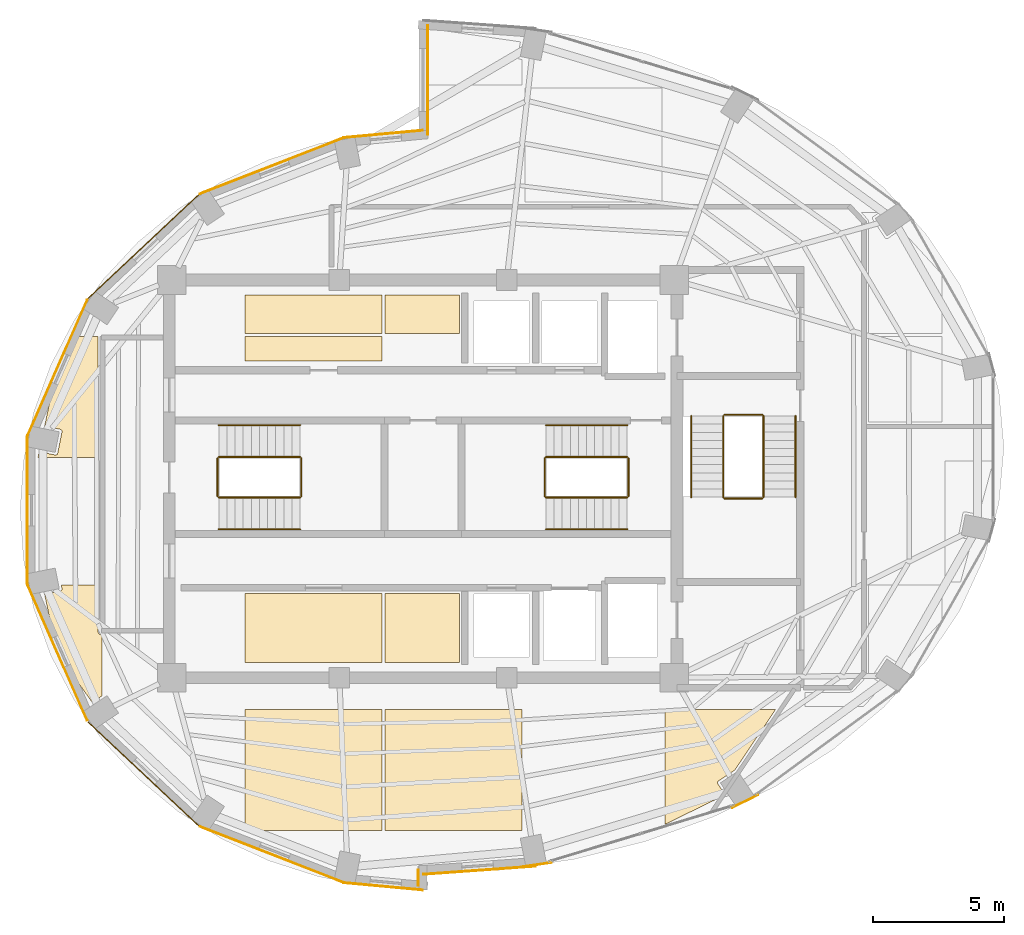
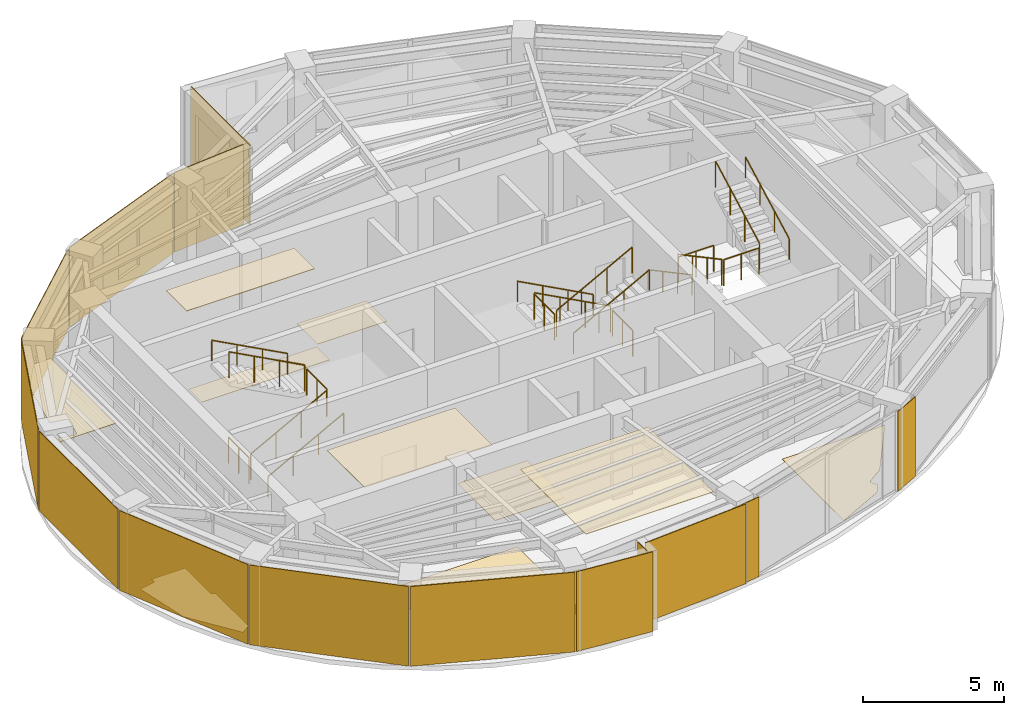
# One storey, part 11 of 12: 24 coverings, 18 railings.
"""IFC4 building model written with IfcOpenShell, lengths in metres."""

from ifc_helpers import new_model, si_unit, direction, frame, origin, origin_2d, place, context, subcontext, project, spatial, polyline, rectangle, circle, outline, extrude, material, layer, layer_set, type_object, element, save


model = new_model("IFC4")

# Units and contexts
model_context = context("Model", 3, precision=1e-05, world=origin(), true_north=direction((0.0, 1.0)))
body_context = subcontext(model_context, "Body", "Model", "MODEL_VIEW")
ifc_project = project(units=[si_unit("LENGTHUNIT", "METRE"), si_unit("AREAUNIT", "SQUARE_METRE"), si_unit("VOLUMEUNIT", "CUBIC_METRE"), si_unit("PLANEANGLEUNIT", "RADIAN"), si_unit("MASSUNIT", "GRAM", prefix="KILO")], contexts=[model_context])

# Site, building, storey
site_placement = place(None, origin())
site = spatial("IfcSite", under=ifc_project, at=site_placement, CompositionType="ELEMENT")
building_placement = place(site_placement, origin())
building = spatial("IfcBuilding", under=site, at=building_placement, Name="Lazwardi Medical Tower", CompositionType="ELEMENT")
storey_placement = place(building_placement, frame((0.0, 0.0, 287.85595703125)))
storey = spatial("IfcBuildingStorey", under=building, at=storey_placement, Name="L75", CompositionType="ELEMENT", Elevation=287.85595703125)

# Coverings
ifc_material_1 = material(Name="Anodised bronze aluminium cassette cladding", Category="aluminium")
ifc_layer_1 = layer(ifc_material_1, 0.030029296875)
ifc_layer_set_1 = layer_set([ifc_layer_1], Name="Anodised bronze aluminium cassette cladding")
covering_type_1 = type_object("IfcCoveringType", Name="COV-CLD-BRZ", PredefinedType="CLADDING", material=ifc_layer_set_1)
covering_1_placement = place(storey_placement, frame((40.3232421875, 13.25048828125, 0.0), z_axis=(0.0, 0.0, 1.0), x_axis=(0.989512431533, 0.144447733943, 0.0)))
element("IfcCovering", 1, at=covering_1_placement, inside=storey, type_object=covering_type_1, Name="L75 Mega-column bronze cassette cover M01", PredefinedType="CLADDING", context=body_context, shape_type="SweptSolid", body=[
    extrude(rectangle(XDim=1.188720703125, YDim=0.030029296875, at=origin_2d()), origin(), (0.0, 0.0, 1.0), 3.447998046875),
])
covering_2_placement = place(storey_placement, frame((48.311279296875, 15.6787109375, 0.0), z_axis=(0.0, 0.0, 1.0), x_axis=(0.897840141691, 0.440321564278, 0.0)))
element("IfcCovering", 2, at=covering_2_placement, inside=storey, type_object=covering_type_1, Name="L75 Mega-column bronze cassette cover M02", PredefinedType="CLADDING", context=body_context, shape_type="SweptSolid", body=[
    extrude(rectangle(XDim=1.110595703125, YDim=0.030029296875, at=origin_2d()), origin(), (0.0, 0.0, 1.0), 3.447998046875),
])
covering_3_placement = place(storey_placement, frame((25.31201171875, 36.870361328125, 0.0), z_axis=(0.0, 0.0, 1.0), x_axis=(-0.728254960063, -0.685306291481, 0.0)))
element("IfcCovering", 3, at=covering_3_placement, inside=storey, type_object=covering_type_1, Name="L75 West drum ceramic/bronze cladding", PredefinedType="CLADDING", context=body_context, shape_type="SweptSolid", body=[
    extrude(rectangle(XDim=5.78125, YDim=0.030029296875, at=origin_2d()), origin(), (0.0, 0.0, 1.0), 3.447998046875),
])
covering_4_placement = place(storey_placement, frame((22.032470703125, 32.25146484375, 0.0), z_axis=(0.0, 0.0, 1.0), x_axis=(-0.402877682365, -0.915253829848, 0.0)))
element("IfcCovering", 4, at=covering_4_placement, inside=storey, type_object=covering_type_1, Name="L75 West drum ceramic/bronze cladding", PredefinedType="CLADDING", context=body_context, shape_type="SweptSolid", body=[
    extrude(rectangle(XDim=5.65576171875, YDim=0.030029296875, at=origin_2d()), origin(), (0.0, 0.0, 1.0), 3.447998046875),
])
covering_5_placement = place(storey_placement, frame((20.880126953125, 26.800048828125, 0.0), z_axis=(0.0, 0.0, 1.0), x_axis=(0.0, -1.0, 0.0)))
element("IfcCovering", 5, at=covering_5_placement, inside=storey, type_object=covering_type_1, Name="L75 West drum ceramic/bronze cladding", PredefinedType="CLADDING", context=body_context, shape_type="SweptSolid", body=[
    extrude(rectangle(XDim=5.60302734375, YDim=0.030029296875, at=origin_2d()), origin(), (0.0, 0.0, 1.0), 3.447998046875),
])
covering_6_placement = place(storey_placement, frame((22.032470703125, 21.3486328125, 0.0), z_axis=(0.0, 0.0, 1.0), x_axis=(0.402877682365, -0.915253829848, 0.0)))
element("IfcCovering", 6, at=covering_6_placement, inside=storey, type_object=covering_type_1, Name="L75 West drum ceramic/bronze cladding", PredefinedType="CLADDING", context=body_context, shape_type="SweptSolid", body=[
    extrude(rectangle(XDim=5.65576171875, YDim=0.030029296875, at=origin_2d()), origin(), (0.0, 0.0, 1.0), 3.447998046875),
])
covering_7_placement = place(storey_placement, frame((25.31201171875, 16.7294921875, 0.0), z_axis=(0.0, 0.0, 1.0), x_axis=(0.728254960063, -0.685306291481, 0.0)))
element("IfcCovering", 7, at=covering_7_placement, inside=storey, type_object=covering_type_1, Name="L75 West drum ceramic/bronze cladding", PredefinedType="CLADDING", context=body_context, shape_type="SweptSolid", body=[
    extrude(rectangle(XDim=5.78125, YDim=0.030029296875, at=origin_2d()), origin(), (0.0, 0.0, 1.0), 3.447998046875),
])
ifc_material_2 = material(Name="Turquoise glazed ceramic tilework cladding", Category="masonry")
ifc_layer_2 = layer(ifc_material_2, 0.034912109375)
ifc_layer_set_2 = layer_set([ifc_layer_2], Name="Turquoise glazed ceramic tilework cladding")
covering_type_2 = type_object("IfcCoveringType", Name="COV-CLD-TRQ", PredefinedType="CLADDING", material=ifc_layer_set_2)
for number, where, z_axis, x_axis, name in (
    (8, (30.216064453125, 39.956787109375, 0.0), (0.0, 0.0, 1.0), (-0.931720388261, -0.363176428337, 0.0), "L75 West drum ceramic/bronze cladding"),
    (9, (30.216064453125, 13.64306640625, 0.0), (0.0, 0.0, 1.0), (0.931720388261, -0.363176428337, 0.0), "L75 West drum ceramic/bronze cladding"),
):
    element("IfcCovering", number, at=place(storey_placement, frame(where, z_axis=z_axis, x_axis=x_axis)), inside=storey, type_object=covering_type_2, Name=name, PredefinedType="CLADDING", context=body_context, shape_type="SweptSolid", body=[
        extrude(rectangle(XDim=5.904052734375, YDim=0.034912109375, at=origin_2d()), origin(), (0.0, 0.0, 1.0), 3.447998046875),
    ])
covering_8_placement = place(storey_placement, frame((38.16259765625, 13.0400390625, 0.0), z_axis=(0.0, 0.0, 1.0), x_axis=(0.997409491337, 0.071932653157, 0.0)))
element("IfcCovering", 10, at=covering_8_placement, inside=storey, type_object=covering_type_2, Name="L75 Turquoise glazed ceramic tilework cladding", PredefinedType="CLADDING", context=body_context, shape_type="SweptSolid", body=[
    extrude(rectangle(XDim=4.31103515625, YDim=0.034912109375, at=origin_2d()), origin(), (0.0, 0.0, 1.0), 3.447998046875),
])
for number, where, z_axis, x_axis, name in (
    (11, (34.4970703125, 41.177001953125, 0.0), (0.0, 0.0, 1.0), (-0.995733560537, -0.092275004312, 0.0), "L75 Turquoise glazed ceramic tilework cladding"),
    (12, (34.4970703125, 12.423095703125, 0.0), (0.0, 0.0, 1.0), (0.995733560537, -0.092275004312, 0.0), "L75 Turquoise glazed ceramic tilework cladding"),
):
    element("IfcCovering", number, at=place(storey_placement, frame(where, z_axis=z_axis, x_axis=x_axis)), inside=storey, type_object=covering_type_2, Name=name, PredefinedType="CLADDING", context=body_context, shape_type="SweptSolid", body=[
        extrude(rectangle(XDim=2.985595703125, YDim=0.034912109375, at=origin_2d()), origin(), (0.0, 0.0, 1.0), 3.447998046875),
    ])
covering_9_placement = place(storey_placement, frame((36.175537109375, 43.239990234375, 0.0), z_axis=(0.0, 0.0, 1.0), x_axis=(0.0, -1.0, 0.0)))
element("IfcCovering", 13, at=covering_9_placement, inside=storey, type_object=covering_type_2, Name="L75 Turquoise glazed ceramic tilework iwan panel", PredefinedType="CLADDING", context=body_context, shape_type="SweptSolid", body=[
    extrude(rectangle(XDim=4.199951171875, YDim=0.034912109375, at=origin_2d()), origin(), (0.0, 0.0, 1.0), 3.447998046875),
])
covering_10_placement = place(storey_placement, frame((35.824462890625, 12.760009765625, 0.0), z_axis=(0.0, 0.0, 1.0), x_axis=(0.0, 1.0, 0.0)))
element("IfcCovering", 14, at=covering_10_placement, inside=storey, type_object=covering_type_2, Name="L75 Turquoise glazed ceramic tilework iwan panel", PredefinedType="CLADDING", context=body_context, shape_type="SweptSolid", body=[
    extrude(rectangle(XDim=0.60009765625, YDim=0.034912109375, at=origin_2d()), origin(), (0.0, 0.0, 1.0), 3.447998046875),
])
ifc_material_3 = material(Name="Acoustic mineral fibre tile")
ifc_layer_3 = layer(ifc_material_3, 0.02490234375)
ifc_layer_set_3 = layer_set([ifc_layer_3], Name="Acoustic mineral fibre tile")
covering_type_3 = type_object("IfcCoveringType", Name="COV-CLG-01", PredefinedType="CEILING", material=ifc_layer_set_3)
covering_11_placement = place(storey_placement, frame((0.0, 0.0, 3.302978515625)))
element("IfcCovering", 15, at=covering_11_placement, inside=storey, type_object=covering_type_3, Name="L75 Clinical Acoustic Ceiling 1", PredefinedType="CEILING", context=body_context, shape_type="SweptSolid", body=[
    extrude(outline(polyline([(22.85791015625, 33.436279296875), (22.013427734375, 32.247314453125), (21.54052734375, 30.010498046875), (22.14111328125, 29.89111328125), (22.148681640625, 29.88916015625), (22.156005859375, 29.886474609375), (22.1630859375, 29.883056640625), (22.169921875, 29.87890625), (22.17626953125, 29.874267578125), (22.181884765625, 29.869140625), (22.187255859375, 29.86328125), (22.19189453125, 29.85693359375), (22.196044921875, 29.85009765625), (22.19921875, 29.843017578125), (22.201904296875, 29.835693359375), (22.203857421875, 29.828125), (22.205078125, 29.8203125), (22.205322265625, 29.8125), (22.205078125, 29.8046875), (22.203857421875, 29.796875), (22.0400390625, 28.97314453125), (22.0380859375, 28.965576171875), (22.035400390625, 28.9580078125), (22.031982421875, 28.950927734375), (22.028076171875, 28.9443359375), (22.023193359375, 28.93798828125), (22.01806640625, 28.93212890625), (22.01220703125, 28.927001953125), (22.005859375, 28.922119140625), (21.999267578125, 28.918212890625), (21.9921875, 28.914794921875), (21.984619140625, 28.912109375), (21.97705078125, 28.91015625), (21.96923828125, 28.9091796875), (21.96142578125, 28.90869140625), (21.95361328125, 28.9091796875), (21.94580078125, 28.91015625), (21.33349609375, 29.031982421875), (21.285888671875, 28.806396484375), (23.574951171875, 28.806396484375), (23.574951171875, 33.39990234375), (23.5751953125, 33.404296875), (23.57568359375, 33.41357421875), (23.576416015625, 33.42041015625), (23.57763671875, 33.4296875), (23.578857421875, 33.436279296875), (22.85791015625, 33.436279296875)])), origin(), (0.0, 0.0, 1.0), 0.025146484375),
])
covering_12_placement = place(storey_placement, frame((0.0, 0.0, 3.302978515625)))
element("IfcCovering", 16, at=covering_12_placement, inside=storey, type_object=covering_type_3, Name="L75 Clinical Acoustic Ceiling 2", PredefinedType="CEILING", context=body_context, shape_type="SweptSolid", body=[
    extrude(outline(polyline([(34.431884765625, 23.6201171875), (29.201904296875, 23.6201171875), (29.201904296875, 20.97998046875), (34.431884765625, 20.97998046875), (34.431884765625, 23.6201171875)])), origin(), (0.0, 0.0, 1.0), 0.025146484375),
])
covering_13_placement = place(storey_placement, frame((0.0, 0.0, 3.302978515625)))
element("IfcCovering", 17, at=covering_13_placement, inside=storey, type_object=covering_type_3, Name="L75 Clinical Acoustic Ceiling 3", PredefinedType="CEILING", context=body_context, shape_type="SweptSolid", body=[
    extrude(outline(polyline([(34.431884765625, 35.02001953125), (29.201904296875, 35.02001953125), (29.201904296875, 33.556396484375), (34.431884765625, 33.556396484375), (34.431884765625, 35.02001953125)])), origin(), (0.0, 0.0, 1.0), 0.025146484375),
])
covering_14_placement = place(storey_placement, frame((0.0, 0.0, 3.302978515625)))
element("IfcCovering", 18, at=covering_14_placement, inside=storey, type_object=covering_type_3, Name="L75 Clinical Acoustic Ceiling 4", PredefinedType="CEILING", context=body_context, shape_type="SweptSolid", body=[
    extrude(outline(polyline([(39.78173828125, 14.556396484375), (39.78173828125, 19.186279296875), (34.5517578125, 19.186279296875), (34.5517578125, 14.556396484375), (39.78173828125, 14.556396484375)])), origin(), (0.0, 0.0, 1.0), 0.025146484375),
])
ifc_material_4 = material(Name="Anti-static hospital vinyl sheet flooring")
ifc_layer_4 = layer(ifc_material_4, 0.014892578125)
ifc_layer_set_4 = layer_set([ifc_layer_4], Name="Anti-static hospital vinyl sheet flooring")
covering_type_4 = type_object("IfcCoveringType", Name="COV-FLR-01", PredefinedType="FLOORING", material=ifc_layer_set_4)
covering_15_placement = place(storey_placement, origin())
element("IfcCovering", 19, at=covering_15_placement, inside=storey, type_object=covering_type_4, Name="L75 Clinical Vinyl Flooring 1", PredefinedType="FLOORING", context=body_context, shape_type="SweptSolid", body=[
    extrude(outline(polyline([(23.731689453125, 22.026123046875), (23.7294921875, 22.0263671875), (23.72021484375, 22.027587890625), (23.7119140625, 22.029296875), (23.702880859375, 22.031494140625), (23.69580078125, 22.03369140625), (23.68701171875, 22.03662109375), (23.67919921875, 22.0400390625), (23.6708984375, 22.0439453125), (23.6640625, 22.047607421875), (23.656005859375, 22.052490234375), (23.6494140625, 22.056884765625), (23.641845703125, 22.0625), (23.63623046875, 22.067138671875), (23.62939453125, 22.0732421875), (23.623291015625, 22.079345703125), (23.6171875, 22.086181640625), (23.612548828125, 22.091796875), (23.60693359375, 22.099365234375), (23.602294921875, 22.10595703125), (23.59765625, 22.114013671875), (23.593994140625, 22.120849609375), (23.590087890625, 22.129150390625), (23.586669921875, 22.136962890625), (23.58349609375, 22.145751953125), (23.58154296875, 22.15283203125), (23.5791015625, 22.161865234375), (23.57763671875, 22.17041015625), (23.576416015625, 22.179443359375), (23.57568359375, 22.186279296875), (23.5751953125, 22.19580078125), (23.574951171875, 22.199951171875), (23.574951171875, 23.936279296875), (22.177490234375, 23.936279296875), (22.203857421875, 23.802978515625), (22.205078125, 23.79541015625), (22.205322265625, 23.78759765625), (22.205078125, 23.77978515625), (22.203857421875, 23.77197265625), (22.201904296875, 23.764404296875), (22.19921875, 23.7568359375), (22.196044921875, 23.749755859375), (22.19189453125, 23.7431640625), (22.187255859375, 23.73681640625), (22.181884765625, 23.73095703125), (22.17626953125, 23.7255859375), (22.169921875, 23.720947265625), (22.1630859375, 23.716796875), (22.156005859375, 23.713623046875), (22.148681640625, 23.7109375), (22.14111328125, 23.708984375), (21.54052734375, 23.589599609375), (22.013427734375, 21.352783203125), (23.360595703125, 19.455810546875), (23.731689453125, 19.7041015625), (23.731689453125, 22.026123046875)])), origin(), (0.0, 0.0, 1.0), 0.01513671875),
])
covering_16_placement = place(storey_placement, origin())
element("IfcCovering", 20, at=covering_16_placement, inside=storey, type_object=covering_type_4, Name="L75 Clinical Vinyl Flooring 2", PredefinedType="FLOORING", context=body_context, shape_type="SweptSolid", body=[
    extrude(outline(polyline([(34.431884765625, 14.556396484375), (34.431884765625, 19.186279296875), (29.201904296875, 19.186279296875), (29.201904296875, 14.556396484375), (34.431884765625, 14.556396484375)])), origin(), (0.0, 0.0, 1.0), 0.01513671875),
])
covering_17_placement = place(storey_placement, origin())
element("IfcCovering", 21, at=covering_17_placement, inside=storey, type_object=covering_type_4, Name="L75 Clinical Vinyl Flooring 3", PredefinedType="FLOORING", context=body_context, shape_type="SweptSolid", body=[
    extrude(outline(polyline([(29.201904296875, 32.5), (34.431884765625, 32.5), (34.431884765625, 33.436279296875), (29.201904296875, 33.436279296875), (29.201904296875, 32.5)])), origin(), (0.0, 0.0, 1.0), 0.01513671875),
])
covering_18_placement = place(storey_placement, origin())
element("IfcCovering", 22, at=covering_18_placement, inside=storey, type_object=covering_type_4, Name="L75 Clinical Vinyl Flooring 4", PredefinedType="FLOORING", context=body_context, shape_type="SweptSolid", body=[
    extrude(outline(polyline([(34.5517578125, 20.97998046875), (37.389892578125, 20.97998046875), (37.389892578125, 23.6201171875), (34.5517578125, 23.6201171875), (34.5517578125, 20.97998046875)])), origin(), (0.0, 0.0, 1.0), 0.01513671875),
])
covering_19_placement = place(storey_placement, origin())
element("IfcCovering", 23, at=covering_19_placement, inside=storey, type_object=covering_type_4, Name="L75 Clinical Vinyl Flooring 5", PredefinedType="FLOORING", context=body_context, shape_type="SweptSolid", body=[
    extrude(outline(polyline([(37.389892578125, 33.556396484375), (37.389892578125, 35.02001953125), (34.5517578125, 35.02001953125), (34.5517578125, 33.556396484375), (37.389892578125, 33.556396484375)])), origin(), (0.0, 0.0, 1.0), 0.01513671875),
])
covering_20_placement = place(storey_placement, origin())
element("IfcCovering", 24, at=covering_20_placement, inside=storey, type_object=covering_type_4, Name="L75 Clinical Vinyl Flooring 7", PredefinedType="FLOORING", context=body_context, shape_type="SweptSolid", body=[
    extrude(outline(polyline([(45.251708984375, 14.7998046875), (47.14599609375, 15.726318359375), (47.413330078125, 16.12451171875), (47.267822265625, 16.342041015625), (47.263916015625, 16.348876953125), (47.260498046875, 16.35595703125), (47.2578125, 16.36328125), (47.255859375, 16.370849609375), (47.2548828125, 16.378662109375), (47.25439453125, 16.386474609375), (47.2548828125, 16.394287109375), (47.255859375, 16.402099609375), (47.2578125, 16.40966796875), (47.260498046875, 16.4169921875), (47.263916015625, 16.42431640625), (47.267822265625, 16.430908203125), (47.272705078125, 16.437255859375), (47.27783203125, 16.443115234375), (47.28369140625, 16.4482421875), (47.2900390625, 16.452880859375), (47.913818359375, 16.869873046875), (49.46923828125, 19.186279296875), (45.251708984375, 19.186279296875), (45.251708984375, 14.7998046875)])), origin(), (0.0, 0.0, 1.0), 0.01513671875),
])

# Railings
ifc_material_5 = material(Name="Stainless steel Grade 316", Category="steel")
railing_type_1 = type_object("IfcRailingType", Name="RLG-GRD-1150", PredefinedType="GUARDRAIL", material=ifc_material_5)
railing_1_placement = place(storey_placement, frame((28.199951171875, 27.2900390625, 0.165771484375)))
element("IfcRailing", 25, at=railing_1_placement, inside=storey, type_object=railing_type_1, Name="L75 ST1 stair guard 1", PredefinedType="GUARDRAIL", context=body_context, shape_type="SweptSolid", body=[
    extrude(circle(Radius=0.02392578125, at=origin_2d()), frame((0.0, 0.0, 1.1259765625), z_axis=(0.881783298633, 0.0, 0.471654761719), x_axis=(0.0, 1.0, 0.0)), (0.0, 0.0, 1.0), 3.515625),
    extrude(circle(Radius=0.02099609375, at=origin_2d()), origin(), (0.0, 0.0, 1.0), 1.099853515625),
    extrude(circle(Radius=0.02099609375, at=origin_2d()), frame((1.033447265625, 0.0, 0.552734375)), (0.0, 0.0, 1.0), 1.099853515625),
    extrude(circle(Radius=0.02099609375, at=origin_2d()), frame((2.066650390625, 0.0, 1.10546875)), (0.0, 0.0, 1.0), 1.099853515625),
    extrude(circle(Radius=0.02099609375, at=origin_2d()), frame((3.10009765625, 0.0, 1.658203125)), (0.0, 0.0, 1.0), 1.099853515625),
])
railing_2_placement = place(storey_placement, frame((31.35009765625, 27.340087890625, 1.823974609375)))
element("IfcRailing", 26, at=railing_2_placement, inside=storey, type_object=railing_type_1, Name="L75 ST1 stair guard 2", PredefinedType="GUARDRAIL", context=body_context, shape_type="SweptSolid", body=[
    extrude(circle(Radius=0.02392578125, at=origin_2d()), frame((0.0, 0.0, 1.1259765625), z_axis=(0.0, 1.0, 0.0), x_axis=(-1.0, 0.0, 0.0)), (0.0, 0.0, 1.0), 1.43994140625),
    extrude(circle(Radius=0.02099609375, at=origin_2d()), origin(), (0.0, 0.0, 1.0), 1.099853515625),
    extrude(circle(Radius=0.02099609375, at=origin_2d()), frame((0.0, 0.719970703125, 0.0)), (0.0, 0.0, 1.0), 1.099853515625),
    extrude(circle(Radius=0.02099609375, at=origin_2d()), frame((0.0, 1.43994140625, 0.0)), (0.0, 0.0, 1.0), 1.099853515625),
])
railing_3_placement = place(storey_placement, frame((31.300048828125, 28.830078125, 1.98974609375)))
element("IfcRailing", 27, at=railing_3_placement, inside=storey, type_object=railing_type_1, Name="L75 ST1 stair guard 3", PredefinedType="GUARDRAIL", context=body_context, shape_type="SweptSolid", body=[
    extrude(circle(Radius=0.02392578125, at=origin_2d()), frame((0.0, 0.0, 1.1259765625), z_axis=(-0.881783298633, 0.0, 0.471654761719), x_axis=(0.0, -1.0, 0.0)), (0.0, 0.0, 1.0), 3.515625),
    extrude(circle(Radius=0.02099609375, at=origin_2d()), origin(), (0.0, 0.0, 1.0), 1.099853515625),
    extrude(circle(Radius=0.02099609375, at=origin_2d()), frame((-1.033447265625, 0.0, 0.552734375)), (0.0, 0.0, 1.0), 1.099853515625),
    extrude(circle(Radius=0.02099609375, at=origin_2d()), frame((-2.066650390625, 0.0, 1.10546875)), (0.0, 0.0, 1.0), 1.099853515625),
    extrude(circle(Radius=0.02099609375, at=origin_2d()), frame((-3.10009765625, 0.0, 1.658203125)), (0.0, 0.0, 1.0), 1.099853515625),
])
railing_4_placement = place(storey_placement, frame((28.14990234375, 27.340087890625, 0.0)))
element("IfcRailing", 28, at=railing_4_placement, inside=storey, type_object=railing_type_1, Name="L75 ST1 stair guard 4", PredefinedType="GUARDRAIL", context=body_context, shape_type="SweptSolid", body=[
    extrude(circle(Radius=0.02392578125, at=origin_2d()), frame((0.0, 0.0, 1.1259765625), z_axis=(0.0, 1.0, 0.0), x_axis=(-1.0, 0.0, 0.0)), (0.0, 0.0, 1.0), 1.43994140625),
    extrude(circle(Radius=0.02099609375, at=origin_2d()), origin(), (0.0, 0.0, 1.0), 1.099853515625),
    extrude(circle(Radius=0.02099609375, at=origin_2d()), frame((0.0, 0.719970703125, 0.0)), (0.0, 0.0, 1.0), 1.099853515625),
    extrude(circle(Radius=0.02099609375, at=origin_2d()), frame((0.0, 1.43994140625, 0.0)), (0.0, 0.0, 1.0), 1.099853515625),
])
railing_5_placement = place(storey_placement, frame((43.800048828125, 28.830078125, 0.165771484375)))
element("IfcRailing", 29, at=railing_5_placement, inside=storey, type_object=railing_type_1, Name="L75 ST2 stair guard 1", PredefinedType="GUARDRAIL", context=body_context, shape_type="SweptSolid", body=[
    extrude(circle(Radius=0.02392578125, at=origin_2d()), frame((0.0, 0.0, 1.1259765625), z_axis=(-0.881783298633, 0.0, 0.471654761719), x_axis=(0.0, -1.0, 0.0)), (0.0, 0.0, 1.0), 3.515625),
    extrude(circle(Radius=0.02099609375, at=origin_2d()), origin(), (0.0, 0.0, 1.0), 1.099853515625),
    extrude(circle(Radius=0.02099609375, at=origin_2d()), frame((-1.033447265625, 0.0, 0.552734375)), (0.0, 0.0, 1.0), 1.099853515625),
    extrude(circle(Radius=0.02099609375, at=origin_2d()), frame((-2.066650390625, 0.0, 1.10546875)), (0.0, 0.0, 1.0), 1.099853515625),
    extrude(circle(Radius=0.02099609375, at=origin_2d()), frame((-3.10009765625, 0.0, 1.658203125)), (0.0, 0.0, 1.0), 1.099853515625),
])
railing_6_placement = place(storey_placement, frame((40.64990234375, 28.780029296875, 1.823974609375)))
element("IfcRailing", 30, at=railing_6_placement, inside=storey, type_object=railing_type_1, Name="L75 ST2 stair guard 2", PredefinedType="GUARDRAIL", context=body_context, shape_type="SweptSolid", body=[
    extrude(circle(Radius=0.02392578125, at=origin_2d()), frame((0.0, 0.0, 1.1259765625), z_axis=(0.0, -1.0, 0.0), x_axis=(1.0, 0.0, 0.0)), (0.0, 0.0, 1.0), 1.43994140625),
    extrude(circle(Radius=0.02099609375, at=origin_2d()), origin(), (0.0, 0.0, 1.0), 1.099853515625),
    extrude(circle(Radius=0.02099609375, at=origin_2d()), frame((0.0, -0.719970703125, 0.0)), (0.0, 0.0, 1.0), 1.099853515625),
    extrude(circle(Radius=0.02099609375, at=origin_2d()), frame((0.0, -1.43994140625, 0.0)), (0.0, 0.0, 1.0), 1.099853515625),
])
railing_7_placement = place(storey_placement, frame((40.699951171875, 27.2900390625, 1.98974609375)))
element("IfcRailing", 31, at=railing_7_placement, inside=storey, type_object=railing_type_1, Name="L75 ST2 stair guard 3", PredefinedType="GUARDRAIL", context=body_context, shape_type="SweptSolid", body=[
    extrude(circle(Radius=0.02392578125, at=origin_2d()), frame((0.0, 0.0, 1.1259765625), z_axis=(0.881783298633, 0.0, 0.471654761719), x_axis=(0.0, 1.0, 0.0)), (0.0, 0.0, 1.0), 3.515625),
    extrude(circle(Radius=0.02099609375, at=origin_2d()), origin(), (0.0, 0.0, 1.0), 1.099853515625),
    extrude(circle(Radius=0.02099609375, at=origin_2d()), frame((1.033447265625, 0.0, 0.552734375)), (0.0, 0.0, 1.0), 1.099853515625),
    extrude(circle(Radius=0.02099609375, at=origin_2d()), frame((2.066650390625, 0.0, 1.10546875)), (0.0, 0.0, 1.0), 1.099853515625),
    extrude(circle(Radius=0.02099609375, at=origin_2d()), frame((3.10009765625, 0.0, 1.658203125)), (0.0, 0.0, 1.0), 1.099853515625),
])
railing_8_placement = place(storey_placement, frame((43.85009765625, 28.780029296875, 0.0)))
element("IfcRailing", 32, at=railing_8_placement, inside=storey, type_object=railing_type_1, Name="L75 ST2 stair guard 4", PredefinedType="GUARDRAIL", context=body_context, shape_type="SweptSolid", body=[
    extrude(circle(Radius=0.02392578125, at=origin_2d()), frame((0.0, 0.0, 1.1259765625), z_axis=(0.0, -1.0, 0.0), x_axis=(1.0, 0.0, 0.0)), (0.0, 0.0, 1.0), 1.43994140625),
    extrude(circle(Radius=0.02099609375, at=origin_2d()), origin(), (0.0, 0.0, 1.0), 1.099853515625),
    extrude(circle(Radius=0.02099609375, at=origin_2d()), frame((0.0, -0.719970703125, 0.0)), (0.0, 0.0, 1.0), 1.099853515625),
    extrude(circle(Radius=0.02099609375, at=origin_2d()), frame((0.0, -1.43994140625, 0.0)), (0.0, 0.0, 1.0), 1.099853515625),
])
railing_9_placement = place(storey_placement, frame((47.469970703125, 30.39990234375, 0.165771484375)))
element("IfcRailing", 33, at=railing_9_placement, inside=storey, type_object=railing_type_1, Name="L75 ST3 stair guard 1", PredefinedType="GUARDRAIL", context=body_context, shape_type="SweptSolid", body=[
    extrude(circle(Radius=0.02392578125, at=origin_2d()), frame((0.0, 0.0, 1.1259765625), z_axis=(0.0, -0.881767849116, 0.471683644262), x_axis=(1.0, 0.0, 0.0)), (0.0, 0.0, 1.0), 3.515380859375),
    extrude(circle(Radius=0.02099609375, at=origin_2d()), origin(), (0.0, 0.0, 1.0), 1.099853515625),
    extrude(circle(Radius=0.02099609375, at=origin_2d()), frame((0.0, -1.033203125, 0.552734375)), (0.0, 0.0, 1.0), 1.099853515625),
    extrude(circle(Radius=0.02099609375, at=origin_2d()), frame((0.0, -2.066650390625, 1.10546875)), (0.0, 0.0, 1.0), 1.099853515625),
    extrude(circle(Radius=0.02099609375, at=origin_2d()), frame((0.0, -3.099853515625, 1.658203125)), (0.0, 0.0, 1.0), 1.099853515625),
])
railing_10_placement = place(storey_placement, frame((47.52001953125, 27.25, 1.823974609375)))
element("IfcRailing", 34, at=railing_10_placement, inside=storey, type_object=railing_type_1, Name="L75 ST3 stair guard 2", PredefinedType="GUARDRAIL", context=body_context, shape_type="SweptSolid", body=[
    extrude(circle(Radius=0.02392578125, at=origin_2d()), frame((0.0, 0.0, 1.1259765625), z_axis=(1.0, 0.0, 0.0), x_axis=(0.0, 1.0, 0.0)), (0.0, 0.0, 1.0), 1.43994140625),
    extrude(circle(Radius=0.02099609375, at=origin_2d()), origin(), (0.0, 0.0, 1.0), 1.099853515625),
    extrude(circle(Radius=0.02099609375, at=origin_2d()), frame((0.719970703125, 0.0, 0.0)), (0.0, 0.0, 1.0), 1.099853515625),
    extrude(circle(Radius=0.02099609375, at=origin_2d()), frame((1.43994140625, 0.0, 0.0)), (0.0, 0.0, 1.0), 1.099853515625),
])
railing_11_placement = place(storey_placement, frame((49.010009765625, 27.300048828125, 1.98974609375)))
element("IfcRailing", 35, at=railing_11_placement, inside=storey, type_object=railing_type_1, Name="L75 ST3 stair guard 3", PredefinedType="GUARDRAIL", context=body_context, shape_type="SweptSolid", body=[
    extrude(circle(Radius=0.02392578125, at=origin_2d()), frame((0.0, 0.0, 1.1259765625), z_axis=(0.0, 0.881767849116, 0.471683644262), x_axis=(-1.0, 0.0, 0.0)), (0.0, 0.0, 1.0), 3.515380859375),
    extrude(circle(Radius=0.02099609375, at=origin_2d()), origin(), (0.0, 0.0, 1.0), 1.099853515625),
    extrude(circle(Radius=0.02099609375, at=origin_2d()), frame((0.0, 1.033203125, 0.552734375)), (0.0, 0.0, 1.0), 1.099853515625),
    extrude(circle(Radius=0.02099609375, at=origin_2d()), frame((0.0, 2.066650390625, 1.10546875)), (0.0, 0.0, 1.0), 1.099853515625),
    extrude(circle(Radius=0.02099609375, at=origin_2d()), frame((0.0, 3.099853515625, 1.658203125)), (0.0, 0.0, 1.0), 1.099853515625),
])
railing_12_placement = place(storey_placement, frame((47.52001953125, 30.449951171875, 0.0)))
element("IfcRailing", 36, at=railing_12_placement, inside=storey, type_object=railing_type_1, Name="L75 ST3 stair guard 4", PredefinedType="GUARDRAIL", context=body_context, shape_type="SweptSolid", body=[
    extrude(circle(Radius=0.02392578125, at=origin_2d()), frame((0.0, 0.0, 1.1259765625), z_axis=(1.0, 0.0, 0.0), x_axis=(0.0, 1.0, 0.0)), (0.0, 0.0, 1.0), 1.43994140625),
    extrude(circle(Radius=0.02099609375, at=origin_2d()), origin(), (0.0, 0.0, 1.0), 1.099853515625),
    extrude(circle(Radius=0.02099609375, at=origin_2d()), frame((0.719970703125, 0.0, 0.0)), (0.0, 0.0, 1.0), 1.099853515625),
    extrude(circle(Radius=0.02099609375, at=origin_2d()), frame((1.43994140625, 0.0, 0.0)), (0.0, 0.0, 1.0), 1.099853515625),
])
railing_type_2 = type_object("IfcRailingType", Name="RLG-HND-920", PredefinedType="HANDRAIL", material=ifc_material_5)
railing_13_placement = place(storey_placement, frame((28.199951171875, 26.070068359375, 0.165771484375)))
element("IfcRailing", 37, at=railing_13_placement, inside=storey, type_object=railing_type_2, Name="L75 ST1 stair handrail 1", PredefinedType="HANDRAIL", context=body_context, shape_type="SweptSolid", body=[
    extrude(circle(Radius=0.02392578125, at=origin_2d()), frame((0.0, 0.0, 0.8857421875), z_axis=(0.881783298633, 0.0, 0.471654761719), x_axis=(0.0, 1.0, 0.0)), (0.0, 0.0, 1.0), 3.515625),
    extrude(circle(Radius=0.02099609375, at=origin_2d()), origin(), (0.0, 0.0, 1.0), 0.85986328125),
    extrude(circle(Radius=0.02099609375, at=origin_2d()), frame((1.033447265625, 0.0, 0.552734375)), (0.0, 0.0, 1.0), 0.85986328125),
    extrude(circle(Radius=0.02099609375, at=origin_2d()), frame((2.066650390625, 0.0, 1.10546875)), (0.0, 0.0, 1.0), 0.85986328125),
    extrude(circle(Radius=0.02099609375, at=origin_2d()), frame((3.10009765625, 0.0, 1.658203125)), (0.0, 0.0, 1.0), 0.85986328125),
])
for number, where, name in (
    (38, (31.300048828125, 30.050048828125, 1.98974609375), "L75 ST1 stair handrail 2"),
    (39, (43.800048828125, 30.050048828125, 0.165771484375), "L75 ST2 stair handrail 1"),
):
    element("IfcRailing", number, at=place(storey_placement, frame(where)), inside=storey, type_object=railing_type_2, Name=name, PredefinedType="HANDRAIL", context=body_context, shape_type="SweptSolid", body=[
        extrude(circle(Radius=0.02392578125, at=origin_2d()), frame((0.0, 0.0, 0.8857421875), z_axis=(-0.881783298633, 0.0, 0.471654761719), x_axis=(0.0, -1.0, 0.0)), (0.0, 0.0, 1.0), 3.515625),
        extrude(circle(Radius=0.02099609375, at=origin_2d()), origin(), (0.0, 0.0, 1.0), 0.85986328125),
        extrude(circle(Radius=0.02099609375, at=origin_2d()), frame((-1.033447265625, 0.0, 0.552734375)), (0.0, 0.0, 1.0), 0.85986328125),
        extrude(circle(Radius=0.02099609375, at=origin_2d()), frame((-2.066650390625, 0.0, 1.10546875)), (0.0, 0.0, 1.0), 0.85986328125),
        extrude(circle(Radius=0.02099609375, at=origin_2d()), frame((-3.10009765625, 0.0, 1.658203125)), (0.0, 0.0, 1.0), 0.85986328125),
    ])
railing_14_placement = place(storey_placement, frame((40.699951171875, 26.070068359375, 1.98974609375)))
element("IfcRailing", 40, at=railing_14_placement, inside=storey, type_object=railing_type_2, Name="L75 ST2 stair handrail 2", PredefinedType="HANDRAIL", context=body_context, shape_type="SweptSolid", body=[
    extrude(circle(Radius=0.02392578125, at=origin_2d()), frame((0.0, 0.0, 0.8857421875), z_axis=(0.881783298633, 0.0, 0.471654761719), x_axis=(0.0, 1.0, 0.0)), (0.0, 0.0, 1.0), 3.515625),
    extrude(circle(Radius=0.02099609375, at=origin_2d()), origin(), (0.0, 0.0, 1.0), 0.85986328125),
    extrude(circle(Radius=0.02099609375, at=origin_2d()), frame((1.033447265625, 0.0, 0.552734375)), (0.0, 0.0, 1.0), 0.85986328125),
    extrude(circle(Radius=0.02099609375, at=origin_2d()), frame((2.066650390625, 0.0, 1.10546875)), (0.0, 0.0, 1.0), 0.85986328125),
    extrude(circle(Radius=0.02099609375, at=origin_2d()), frame((3.10009765625, 0.0, 1.658203125)), (0.0, 0.0, 1.0), 0.85986328125),
])
railing_15_placement = place(storey_placement, frame((46.25, 30.39990234375, 0.165771484375)))
element("IfcRailing", 41, at=railing_15_placement, inside=storey, type_object=railing_type_2, Name="L75 ST3 stair handrail 1", PredefinedType="HANDRAIL", context=body_context, shape_type="SweptSolid", body=[
    extrude(circle(Radius=0.02392578125, at=origin_2d()), frame((0.0, 0.0, 0.8857421875), z_axis=(0.0, -0.881767849116, 0.471683644262), x_axis=(1.0, 0.0, 0.0)), (0.0, 0.0, 1.0), 3.515380859375),
    extrude(circle(Radius=0.02099609375, at=origin_2d()), origin(), (0.0, 0.0, 1.0), 0.85986328125),
    extrude(circle(Radius=0.02099609375, at=origin_2d()), frame((0.0, -1.033203125, 0.552734375)), (0.0, 0.0, 1.0), 0.85986328125),
    extrude(circle(Radius=0.02099609375, at=origin_2d()), frame((0.0, -2.066650390625, 1.10546875)), (0.0, 0.0, 1.0), 0.85986328125),
    extrude(circle(Radius=0.02099609375, at=origin_2d()), frame((0.0, -3.099853515625, 1.658203125)), (0.0, 0.0, 1.0), 0.85986328125),
])
railing_16_placement = place(storey_placement, frame((50.22998046875, 27.300048828125, 1.98974609375)))
element("IfcRailing", 42, at=railing_16_placement, inside=storey, type_object=railing_type_2, Name="L75 ST3 stair handrail 2", PredefinedType="HANDRAIL", context=body_context, shape_type="SweptSolid", body=[
    extrude(circle(Radius=0.02392578125, at=origin_2d()), frame((0.0, 0.0, 0.8857421875), z_axis=(0.0, 0.881767849116, 0.471683644262), x_axis=(-1.0, 0.0, 0.0)), (0.0, 0.0, 1.0), 3.515380859375),
    extrude(circle(Radius=0.02099609375, at=origin_2d()), origin(), (0.0, 0.0, 1.0), 0.85986328125),
    extrude(circle(Radius=0.02099609375, at=origin_2d()), frame((0.0, 1.033203125, 0.552734375)), (0.0, 0.0, 1.0), 0.85986328125),
    extrude(circle(Radius=0.02099609375, at=origin_2d()), frame((0.0, 2.066650390625, 1.10546875)), (0.0, 0.0, 1.0), 0.85986328125),
    extrude(circle(Radius=0.02099609375, at=origin_2d()), frame((0.0, 3.099853515625, 1.658203125)), (0.0, 0.0, 1.0), 0.85986328125),
])

save(model, "model.ifc")
